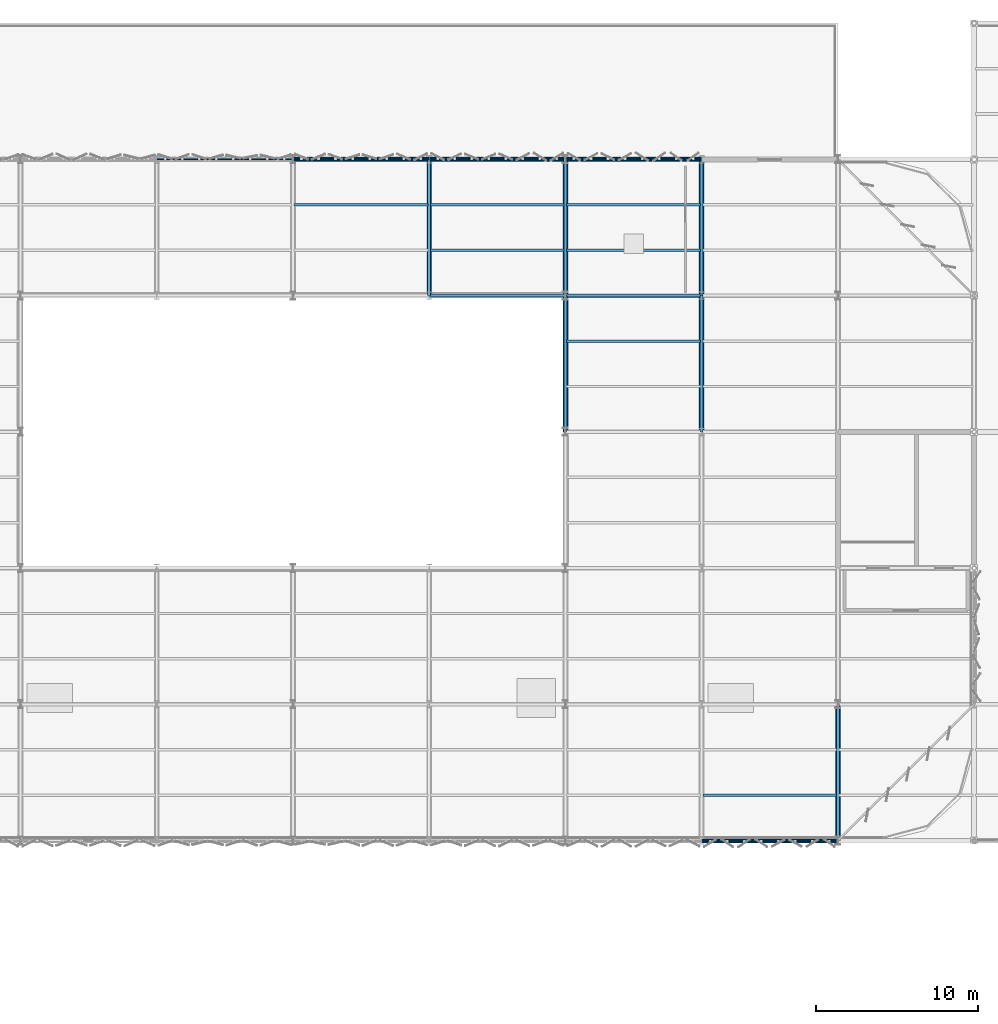
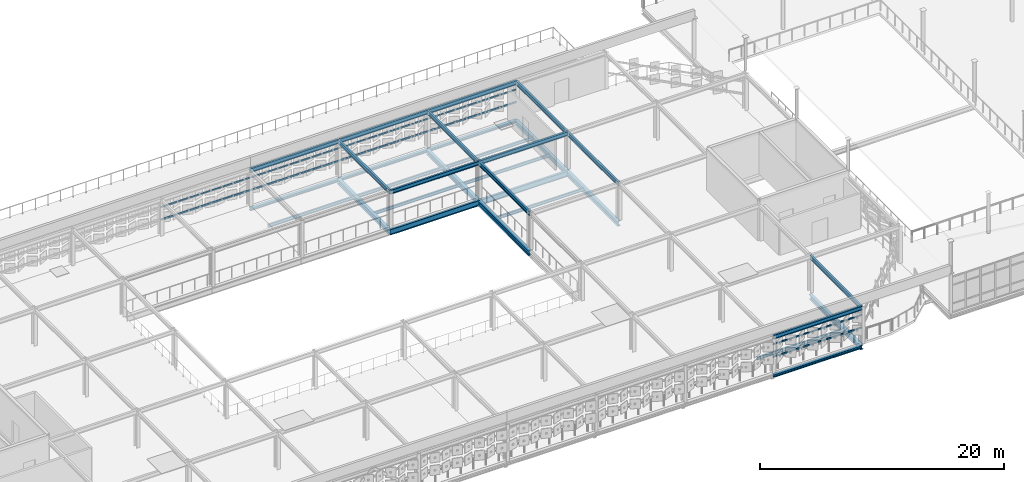
# One storey, part 33 of 65: 41 beams.
"""IFC4 building model written with IfcOpenShell, lengths in metres."""

import ifcopenshell
import ifcopenshell.guid

model = None  # the IFC model being written
_history = None  # IfcOwnerHistory: only IFC2X3 demands one
_inside = {}  # id of a spatial element -> (the spatial element, [elements in it])
_under = {}  # id of a project, library or spatial element -> (it, [spatial elements below it])
_declared = {}  # id of a project -> (the project, [libraries it declares])
_typed = {}  # id of a type object -> (the type object, [elements of that type])
_made_of = {}  # id of a material, layer set ... -> (it, [elements and type objects made of it])


def new_model(schema):
    """Start an empty IFC model of exactly this schema.

    Asked for "IFC4X3", IfcOpenShell would pick the latest addendum, in which some entities
    have other attributes; the version numbers below select the first issue.
    IFC2X3 requires an IfcOwnerHistory on every rooted entity: one is made here for all.
    """
    global model, _history
    if schema == "IFC4X3":
        model = ifcopenshell.file(schema_version=(4, 3, 0, 0))
    else:
        model = ifcopenshell.file(schema=schema)
    _inside.clear()
    _under.clear()
    _declared.clear()
    _typed.clear()
    _made_of.clear()
    _history = None
    if model.schema == "IFC2X3":
        org = make("IfcOrganization", Name="unknown")
        user = make(
            "IfcPersonAndOrganization",
            ThePerson=make("IfcPerson", FamilyName="unknown"),
            TheOrganization=org,
        )
        app = make(
            "IfcApplication",
            ApplicationDeveloper=org,
            Version="unknown",
            ApplicationFullName="unknown",
            ApplicationIdentifier="unknown",
        )
        _history = make(
            "IfcOwnerHistory",
            OwningUser=user,
            OwningApplication=app,
            ChangeAction="ADDED",
            CreationDate=0,
        )
    return model


def make(cls, **values):
    """One entity of the class cls with the attributes given. An attribute that is None is left unset."""
    return model.create_entity(
        cls, **{name: value for name, value in values.items() if value is not None}
    )


def rooted(cls, **values):
    """An entity with a GlobalId (a new one), such as an element, a storey or a relation."""
    return make(cls, GlobalId=ifcopenshell.guid.new(), OwnerHistory=_history, **values)


def si_unit(unit_type, name, prefix=None):
    """IfcSIUnit, for example si_unit("LENGTHUNIT", "METRE", prefix="MILLI")."""
    return make("IfcSIUnit", UnitType=unit_type, Prefix=prefix, Name=name)


def assignment(units):
    """IfcUnitAssignment: the units of a project."""
    return None if units is None else make("IfcUnitAssignment", Units=units)


def point(xyz):
    """IfcCartesianPoint."""
    return None if xyz is None else make("IfcCartesianPoint", Coordinates=xyz)


def direction(xyz):
    """IfcDirection."""
    return None if xyz is None else make("IfcDirection", DirectionRatios=xyz)


def frame(location, z_axis=None, x_axis=None):
    """IfcAxis2Placement3D, a coordinate frame: its origin and axes. An axis left out is left unset."""
    return make(
        "IfcAxis2Placement3D",
        Location=point(location),
        Axis=direction(z_axis),
        RefDirection=direction(x_axis),
    )


def frame_2d(location, x_axis=None):
    """IfcAxis2Placement2D, a coordinate frame in the plane: its origin and x axis."""
    return make(
        "IfcAxis2Placement2D", Location=point(location), RefDirection=direction(x_axis)
    )


def origin():
    """The frame at (0, 0, 0) with its axes left unset."""
    return frame((0.0, 0.0, 0.0))


def origin_2d():
    """The frame at (0, 0) in the plane with its x axis left unset."""
    return frame_2d((0.0, 0.0))


def place(relative_to, where):
    """IfcLocalPlacement: puts the frame where relative to a parent placement (None: the world)."""
    return make(
        "IfcLocalPlacement", PlacementRelTo=relative_to, RelativePlacement=where
    )


def context(
    kind, dimensions, precision=None, world=None, true_north=None, identifier=None
):
    """IfcGeometricRepresentationContext, for example the 3D "Model" context."""
    return make(
        "IfcGeometricRepresentationContext",
        ContextIdentifier=identifier,
        ContextType=kind,
        CoordinateSpaceDimension=dimensions,
        Precision=precision,
        WorldCoordinateSystem=world,
        TrueNorth=true_north,
    )


def subcontext(parent, identifier, kind, view, scale=None):
    """IfcGeometricRepresentationSubContext, for example "Body" below "Model"."""
    return make(
        "IfcGeometricRepresentationSubContext",
        ContextIdentifier=identifier,
        ContextType=kind,
        ParentContext=parent,
        TargetScale=scale,
        TargetView=view,
    )


def project(units=None, contexts=None):
    """IfcProject with its units and contexts."""
    return rooted(
        "IfcProject",
        Name="project",
        RepresentationContexts=contexts,
        UnitsInContext=assignment(units),
    )


def spatial(cls, under=None, at=None, **own):
    """A site, building, storey or space (cls), placed at a placement, below another one or the project."""
    s = rooted(cls, ObjectPlacement=at, **own)
    if under is not None:
        _under.setdefault(under.id(), (under, []))[1].append(s)
    return s


def profile(cls, at=None, kind="AREA", **sizes):
    """A parametric profile (cls). Its sizes go by their IFC names, for example OverallWidth=200.0."""
    return make(cls, ProfileType=kind, Position=at, **sizes)


def hollow_rectangle(**sizes):
    """IfcRectangleHollowProfileDef."""
    return profile("IfcRectangleHollowProfileDef", **sizes)


def i_section(**sizes):
    """IfcIShapeProfileDef."""
    return profile("IfcIShapeProfileDef", **sizes)


def extrude(swept, where, along, depth):
    """IfcExtrudedAreaSolid: the profile swept, set in the frame where, extruded along a direction by depth."""
    return make(
        "IfcExtrudedAreaSolid",
        SweptArea=swept,
        Position=where,
        ExtrudedDirection=direction(along),
        Depth=depth,
    )


def shape(context_of_items, identifier, shape_type, items):
    """IfcShapeRepresentation: the items that make up one representation, for example the "Body"."""
    return make(
        "IfcShapeRepresentation",
        ContextOfItems=context_of_items,
        RepresentationIdentifier=identifier,
        RepresentationType=shape_type,
        Items=items,
    )


def material(Name=None, Category=None):
    """IfcMaterial."""
    return make("IfcMaterial", Name=Name, Category=Category)


def material_profile(
    of_material, cross_section, Name=None, Category=None, Priority=None
):
    """IfcMaterialProfile: a cross section and its material."""
    return make(
        "IfcMaterialProfile",
        Name=Name,
        Material=of_material,
        Profile=cross_section,
        Priority=Priority,
        Category=Category,
    )


def profile_set(profiles, Name=None, composite=None):
    """IfcMaterialProfileSet."""
    return make(
        "IfcMaterialProfileSet",
        Name=Name,
        MaterialProfiles=profiles,
        CompositeProfile=composite,
    )


def made_of(thing, what):
    """Note that an element or type object is made of a material, layer set ...; save() writes the relation."""
    if what is not None:
        _made_of.setdefault(what.id(), (what, []))[1].append(thing)
    return thing


def type_object(cls, material=None, **own):
    """A type object (cls), such as IfcWallType, which elements share."""
    return made_of(rooted(cls, **own), material)


def element(
    cls,
    number,
    at=None,
    inside=None,
    cuts=None,
    type_object=None,
    material=None,
    context=None,
    identifier="Body",
    shape_type=None,
    held_by="IfcProductDefinitionShape",
    body=None,
    shapes=None,
    **own,
):
    """One element of the class cls, such as IfcWall. Its Tag is "e" and its number.

    at: its placement. inside: the storey or other place that contains it. cuts: it is an
    opening in that element (IfcRelVoidsElement). A single representation is given by context,
    identifier, shape_type and body (its items); several are given by shapes. held_by: the class
    of the entity that holds the representations. save() writes the other relations.
    """
    e = rooted(cls, Tag="e%d" % number, ObjectPlacement=at, **own)
    if body is not None:
        shapes = [shape(context, identifier, shape_type, body)]
    if shapes is not None:
        e.Representation = make(held_by, Representations=shapes)
    if inside is not None:
        _inside.setdefault(inside.id(), (inside, []))[1].append(e)
    if cuts is not None:
        rooted(
            "IfcRelVoidsElement", RelatingBuildingElement=cuts, RelatedOpeningElement=e
        )
    if type_object is not None:
        _typed.setdefault(type_object.id(), (type_object, []))[1].append(e)
    return made_of(e, material)


def aggregate(whole, parts):
    """IfcRelAggregates: a whole, such as a stair, and the parts it consists of."""
    return rooted("IfcRelAggregates", RelatingObject=whole, RelatedObjects=parts)


def save(model, path):
    """Write the relations noted so far, then the file.

    IfcRelAggregates (storeys below a building ...), IfcRelContainedInSpatialStructure (elements
    in a storey), IfcRelDefinesByType, IfcRelAssociatesMaterial and IfcRelDeclares: one each for
    every whole, place, type object, material and project.
    """
    for whole, parts in _under.values():
        aggregate(whole, parts)
    for where, things in _inside.values():
        rooted(
            "IfcRelContainedInSpatialStructure",
            RelatedElements=things,
            RelatingStructure=where,
        )
    for kind, things in _typed.values():
        rooted("IfcRelDefinesByType", RelatedObjects=things, RelatingType=kind)
    for what, things in _made_of.values():
        rooted("IfcRelAssociatesMaterial", RelatedObjects=things, RelatingMaterial=what)
    for by, libraries in _declared.values():
        rooted("IfcRelDeclares", RelatingContext=by, RelatedDefinitions=libraries)
    model.write(path)


model = new_model("IFC4")

# Units and contexts
model_context = context("Model", 3, precision=1e-05, world=origin(), true_north=direction((0.0, 1.0)))
body_context = subcontext(model_context, "Body", "Model", "MODEL_VIEW")
ifc_project = project(units=[si_unit("LENGTHUNIT", "METRE"), si_unit("AREAUNIT", "SQUARE_METRE"), si_unit("VOLUMEUNIT", "CUBIC_METRE"), si_unit("PLANEANGLEUNIT", "RADIAN"), si_unit("MASSUNIT", "GRAM", prefix="KILO")], contexts=[model_context])

# Site, building, storey
site_placement = place(None, origin())
site = spatial("IfcSite", under=ifc_project, at=site_placement, CompositionType="ELEMENT")
building_placement = place(site_placement, origin())
building = spatial("IfcBuilding", under=site, at=building_placement, Name="Qalvenar Corner Mobility Hub", CompositionType="ELEMENT")
storey_placement = place(building_placement, frame((0.0, 0.0, 17.39990234375)))
storey = spatial("IfcBuildingStorey", under=building, at=storey_placement, Name="L04", CompositionType="ELEMENT", Elevation=17.39990234375)

# Beams
ifc_material = material(Name="Steel S355", Category="steel")
ifc_material_profile_1 = material_profile(ifc_material, i_section(OverallWidth=0.300048828125, OverallDepth=0.489990234375, WebThickness=0.011962890625, FlangeThickness=0.02294921875, FilletRadius=0.027099609375, at=origin_2d()), Name="HEA500")
ifc_profile_set_1 = profile_set([ifc_material_profile_1], Name="Steel S355")
beam_type_1 = type_object("IfcBeamType", Name="BM-HEA500", PredefinedType="BEAM", material=ifc_profile_set_1)
beam_1_placement = place(storey_placement, frame((109.199951171875, 100.800048828125, -0.48486328125), z_axis=(0.0, 1.0, 0.0), x_axis=(-1.0, 0.0, 0.0)))
element("IfcBeam", 1, at=beam_1_placement, inside=storey, type_object=beam_type_1, Name="Primary Steel Girder GY-2797", PredefinedType="BEAM", context=body_context, shape_type="SweptSolid", body=[
    extrude(i_section(OverallWidth=0.300048828125, OverallDepth=0.489990234375, WebThickness=0.011962890625, FlangeThickness=0.02294921875, FilletRadius=0.027099609375, at=origin_2d()), origin(), (0.0, 0.0, 1.0), 8.39990234375),
])
beam_2_placement = place(storey_placement, frame((117.60009765625, 92.39990234375, -0.48486328125), z_axis=(0.0, 1.0, 0.0), x_axis=(-1.0, 0.0, 0.0)))
element("IfcBeam", 2, at=beam_2_placement, inside=storey, type_object=beam_type_1, Name="Primary Steel Girder GY-2801", PredefinedType="BEAM", context=body_context, shape_type="SweptSolid", body=[
    extrude(i_section(OverallWidth=0.300048828125, OverallDepth=0.489990234375, WebThickness=0.011962890625, FlangeThickness=0.02294921875, FilletRadius=0.027099609375, at=origin_2d()), origin(), (0.0, 0.0, 1.0), 8.400146484375),
])
beam_3_placement = place(storey_placement, frame((117.60009765625, 100.800048828125, -0.48486328125), z_axis=(0.0, 1.0, 0.0), x_axis=(-1.0, 0.0, 0.0)))
element("IfcBeam", 3, at=beam_3_placement, inside=storey, type_object=beam_type_1, Name="Primary Steel Girder GY-2802", PredefinedType="BEAM", context=body_context, shape_type="SweptSolid", body=[
    extrude(i_section(OverallWidth=0.300048828125, OverallDepth=0.489990234375, WebThickness=0.011962890625, FlangeThickness=0.02294921875, FilletRadius=0.027099609375, at=origin_2d()), origin(), (0.0, 0.0, 1.0), 8.39990234375),
])
beam_4_placement = place(storey_placement, frame((126.0, 92.39990234375, -0.48486328125), z_axis=(0.0, 1.0, 0.0), x_axis=(-1.0, 0.0, 0.0)))
element("IfcBeam", 4, at=beam_4_placement, inside=storey, type_object=beam_type_1, Name="Primary Steel Girder GY-2806", PredefinedType="BEAM", context=body_context, shape_type="SweptSolid", body=[
    extrude(i_section(OverallWidth=0.300048828125, OverallDepth=0.489990234375, WebThickness=0.011962890625, FlangeThickness=0.02294921875, FilletRadius=0.027099609375, at=origin_2d()), origin(), (0.0, 0.0, 1.0), 8.400146484375),
])
beam_5_placement = place(storey_placement, frame((126.0, 100.800048828125, -0.48486328125), z_axis=(0.0, 1.0, 0.0), x_axis=(-1.0, 0.0, 0.0)))
element("IfcBeam", 5, at=beam_5_placement, inside=storey, type_object=beam_type_1, Name="Primary Steel Girder GY-2807", PredefinedType="BEAM", context=body_context, shape_type="SweptSolid", body=[
    extrude(i_section(OverallWidth=0.300048828125, OverallDepth=0.489990234375, WebThickness=0.011962890625, FlangeThickness=0.02294921875, FilletRadius=0.027099609375, at=origin_2d()), origin(), (0.0, 0.0, 1.0), 8.39990234375),
])
beam_6_placement = place(storey_placement, frame((134.39990234375, 67.199951171875, -0.48486328125), z_axis=(0.0, 1.0, 0.0), x_axis=(-1.0, 0.0, 0.0)))
element("IfcBeam", 6, at=beam_6_placement, inside=storey, type_object=beam_type_1, Name="Primary Steel Girder GY-2808", PredefinedType="BEAM", context=body_context, shape_type="SweptSolid", body=[
    extrude(i_section(OverallWidth=0.300048828125, OverallDepth=0.489990234375, WebThickness=0.011962890625, FlangeThickness=0.02294921875, FilletRadius=0.027099609375, at=origin_2d()), origin(), (0.0, 0.0, 1.0), 8.400146484375),
])
ifc_material_profile_2 = material_profile(ifc_material, i_section(OverallWidth=0.179931640625, OverallDepth=0.39990234375, WebThickness=0.008544921875, FlangeThickness=0.013427734375, FilletRadius=0.02099609375, at=origin_2d()), Name="IPE400")
ifc_profile_set_2 = profile_set([ifc_material_profile_2], Name="Steel S355")
beam_type_2 = type_object("IfcBeamType", Name="BM-IPE400", PredefinedType="BEAM", material=ifc_profile_set_2)
beam_7_placement = place(storey_placement, frame((109.199951171875, 100.800048828125, 3.47021484375), z_axis=(0.0, 1.0, 0.0), x_axis=(-1.0, 0.0, 0.0)))
element("IfcBeam", 7, at=beam_7_placement, inside=storey, type_object=beam_type_2, Name="EV Roof Girder V4RF-Y-109-100", PredefinedType="BEAM", context=body_context, shape_type="SweptSolid", body=[
    extrude(i_section(OverallWidth=0.179931640625, OverallDepth=0.39990234375, WebThickness=0.008544921875, FlangeThickness=0.013427734375, FilletRadius=0.02099609375, at=origin_2d()), origin(), (0.0, 0.0, 1.0), 8.39990234375),
])
beam_8_placement = place(storey_placement, frame((117.60009765625, 92.39990234375, 3.47021484375), z_axis=(0.0, 1.0, 0.0), x_axis=(-1.0, 0.0, 0.0)))
element("IfcBeam", 8, at=beam_8_placement, inside=storey, type_object=beam_type_2, Name="EV Roof Girder V4RF-Y-117-92", PredefinedType="BEAM", context=body_context, shape_type="SweptSolid", body=[
    extrude(i_section(OverallWidth=0.179931640625, OverallDepth=0.39990234375, WebThickness=0.008544921875, FlangeThickness=0.013427734375, FilletRadius=0.02099609375, at=origin_2d()), origin(), (0.0, 0.0, 1.0), 8.400146484375),
])
beam_9_placement = place(storey_placement, frame((117.60009765625, 100.800048828125, 3.47021484375), z_axis=(0.0, 1.0, 0.0), x_axis=(-1.0, 0.0, 0.0)))
element("IfcBeam", 9, at=beam_9_placement, inside=storey, type_object=beam_type_2, Name="EV Roof Girder V4RF-Y-117-100", PredefinedType="BEAM", context=body_context, shape_type="SweptSolid", body=[
    extrude(i_section(OverallWidth=0.179931640625, OverallDepth=0.39990234375, WebThickness=0.008544921875, FlangeThickness=0.013427734375, FilletRadius=0.02099609375, at=origin_2d()), origin(), (0.0, 0.0, 1.0), 8.39990234375),
])
beam_10_placement = place(storey_placement, frame((126.0, 92.39990234375, 3.47021484375), z_axis=(0.0, 1.0, 0.0), x_axis=(-1.0, 0.0, 0.0)))
element("IfcBeam", 10, at=beam_10_placement, inside=storey, type_object=beam_type_2, Name="EV Roof Girder V4RF-Y-126-92", PredefinedType="BEAM", context=body_context, shape_type="SweptSolid", body=[
    extrude(i_section(OverallWidth=0.179931640625, OverallDepth=0.39990234375, WebThickness=0.008544921875, FlangeThickness=0.013427734375, FilletRadius=0.02099609375, at=origin_2d()), origin(), (0.0, 0.0, 1.0), 8.400146484375),
])
beam_11_placement = place(storey_placement, frame((126.0, 100.800048828125, 3.47021484375), z_axis=(0.0, 1.0, 0.0), x_axis=(-1.0, 0.0, 0.0)))
element("IfcBeam", 11, at=beam_11_placement, inside=storey, type_object=beam_type_2, Name="EV Roof Girder V4RF-Y-126-100", PredefinedType="BEAM", context=body_context, shape_type="SweptSolid", body=[
    extrude(i_section(OverallWidth=0.179931640625, OverallDepth=0.39990234375, WebThickness=0.008544921875, FlangeThickness=0.013427734375, FilletRadius=0.02099609375, at=origin_2d()), origin(), (0.0, 0.0, 1.0), 8.39990234375),
])
beam_12_placement = place(storey_placement, frame((134.39990234375, 67.199951171875, 3.47021484375), z_axis=(0.0, 1.0, 0.0), x_axis=(-1.0, 0.0, 0.0)))
element("IfcBeam", 12, at=beam_12_placement, inside=storey, type_object=beam_type_2, Name="EV Roof Girder V4RF-Y-134-67", PredefinedType="BEAM", context=body_context, shape_type="SweptSolid", body=[
    extrude(i_section(OverallWidth=0.179931640625, OverallDepth=0.39990234375, WebThickness=0.008544921875, FlangeThickness=0.013427734375, FilletRadius=0.02099609375, at=origin_2d()), origin(), (0.0, 0.0, 1.0), 8.400146484375),
])
beam_13_placement = place(storey_placement, frame((126.0, 67.199951171875, 3.47021484375), z_axis=(1.0, 0.0, 0.0), x_axis=(0.0, 1.0, 0.0)))
element("IfcBeam", 13, at=beam_13_placement, inside=storey, type_object=beam_type_2, Name="EV Roof Girder V4RF-X-126-67", PredefinedType="BEAM", context=body_context, shape_type="SweptSolid", body=[
    extrude(i_section(OverallWidth=0.179931640625, OverallDepth=0.39990234375, WebThickness=0.008544921875, FlangeThickness=0.013427734375, FilletRadius=0.02099609375, at=origin_2d()), origin(), (0.0, 0.0, 1.0), 8.39990234375),
])
beam_14_placement = place(storey_placement, frame((109.199951171875, 100.800048828125, 3.47021484375), z_axis=(1.0, 0.0, 0.0), x_axis=(0.0, 1.0, 0.0)))
element("IfcBeam", 14, at=beam_14_placement, inside=storey, type_object=beam_type_2, Name="EV Roof Girder V4RF-X-109-100", PredefinedType="BEAM", context=body_context, shape_type="SweptSolid", body=[
    extrude(i_section(OverallWidth=0.179931640625, OverallDepth=0.39990234375, WebThickness=0.008544921875, FlangeThickness=0.013427734375, FilletRadius=0.02099609375, at=origin_2d()), origin(), (0.0, 0.0, 1.0), 8.400146484375),
])
for number, where, z_axis, x_axis, name in (
    (15, (117.60009765625, 100.800048828125, 3.47021484375), (1.0, 0.0, 0.0), (0.0, 1.0, 0.0), "EV Roof Girder V4RF-X-117-100"),
    (16, (100.800048828125, 109.199951171875, 3.47021484375), (1.0, 0.0, 0.0), (0.0, 1.0, 0.0), "EV Roof Girder V4RF-X-100-109"),
):
    element("IfcBeam", number, at=place(storey_placement, frame(where, z_axis=z_axis, x_axis=x_axis)), inside=storey, type_object=beam_type_2, Name=name, PredefinedType="BEAM", context=body_context, shape_type="SweptSolid", body=[
        extrude(i_section(OverallWidth=0.179931640625, OverallDepth=0.39990234375, WebThickness=0.008544921875, FlangeThickness=0.013427734375, FilletRadius=0.02099609375, at=origin_2d()), origin(), (0.0, 0.0, 1.0), 8.39990234375),
    ])
beam_15_placement = place(storey_placement, frame((109.199951171875, 109.199951171875, 3.47021484375), z_axis=(1.0, 0.0, 0.0), x_axis=(0.0, 1.0, 0.0)))
element("IfcBeam", 17, at=beam_15_placement, inside=storey, type_object=beam_type_2, Name="EV Roof Girder V4RF-X-109-109", PredefinedType="BEAM", context=body_context, shape_type="SweptSolid", body=[
    extrude(i_section(OverallWidth=0.179931640625, OverallDepth=0.39990234375, WebThickness=0.008544921875, FlangeThickness=0.013427734375, FilletRadius=0.02099609375, at=origin_2d()), origin(), (0.0, 0.0, 1.0), 8.400146484375),
])
beam_16_placement = place(storey_placement, frame((117.60009765625, 109.199951171875, 3.47021484375), z_axis=(1.0, 0.0, 0.0), x_axis=(0.0, 1.0, 0.0)))
element("IfcBeam", 18, at=beam_16_placement, inside=storey, type_object=beam_type_2, Name="EV Roof Girder V4RF-X-117-109", PredefinedType="BEAM", context=body_context, shape_type="SweptSolid", body=[
    extrude(i_section(OverallWidth=0.179931640625, OverallDepth=0.39990234375, WebThickness=0.008544921875, FlangeThickness=0.013427734375, FilletRadius=0.02099609375, at=origin_2d()), origin(), (0.0, 0.0, 1.0), 8.39990234375),
])
ifc_material_profile_3 = material_profile(ifc_material, i_section(OverallWidth=0.2099609375, OverallDepth=0.550048828125, WebThickness=0.010986328125, FlangeThickness=0.01708984375, FilletRadius=0.02392578125, at=origin_2d()), Name="IPE550")
ifc_profile_set_3 = profile_set([ifc_material_profile_3], Name="Steel S355")
beam_type_3 = type_object("IfcBeamType", Name="BM-IPE550", PredefinedType="BEAM", material=ifc_profile_set_3)
beam_17_placement = place(storey_placement, frame((109.199951171875, 100.800048828125, -0.514892578125), z_axis=(1.0, 0.0, 0.0), x_axis=(0.0, 1.0, 0.0)))
element("IfcBeam", 19, at=beam_17_placement, inside=storey, type_object=beam_type_3, Name="Primary Steel Girder GX-2759", PredefinedType="BEAM", context=body_context, shape_type="SweptSolid", body=[
    extrude(i_section(OverallWidth=0.2099609375, OverallDepth=0.550048828125, WebThickness=0.010986328125, FlangeThickness=0.01708984375, FilletRadius=0.02392578125, at=origin_2d()), origin(), (0.0, 0.0, 1.0), 8.400146484375),
])
beam_18_placement = place(storey_placement, frame((117.60009765625, 100.800048828125, -0.514892578125), z_axis=(1.0, 0.0, 0.0), x_axis=(0.0, 1.0, 0.0)))
element("IfcBeam", 20, at=beam_18_placement, inside=storey, type_object=beam_type_3, Name="Primary Steel Girder GX-2760", PredefinedType="BEAM", context=body_context, shape_type="SweptSolid", body=[
    extrude(i_section(OverallWidth=0.2099609375, OverallDepth=0.550048828125, WebThickness=0.010986328125, FlangeThickness=0.01708984375, FilletRadius=0.02392578125, at=origin_2d()), origin(), (0.0, 0.0, 1.0), 8.39990234375),
])
ifc_material_profile_4 = material_profile(ifc_material, i_section(OverallWidth=0.14990234375, OverallDepth=0.300048828125, WebThickness=0.007080078125, FlangeThickness=0.0107421875, FilletRadius=0.014892578125, at=origin_2d()), Name="IPE300")
ifc_profile_set_4 = profile_set([ifc_material_profile_4], Name="Steel S355")
beam_type_4 = type_object("IfcBeamType", Name="BM-JST300", PredefinedType="JOIST", material=ifc_profile_set_4)
beam_19_placement = place(storey_placement, frame((100.8779296875, 106.39990234375, -0.389892578125), z_axis=(1.0, 0.0, 0.0), x_axis=(0.0, 1.0, 0.0)))
element("IfcBeam", 21, at=beam_19_placement, inside=storey, type_object=beam_type_4, Name="Composite Floor Joist J-2857", PredefinedType="JOIST", context=body_context, shape_type="SweptSolid", body=[
    extrude(i_section(OverallWidth=0.14990234375, OverallDepth=0.300048828125, WebThickness=0.007080078125, FlangeThickness=0.0107421875, FilletRadius=0.014892578125, at=origin_2d()), origin(), (0.0, 0.0, 1.0), 8.244140625),
])
for number, where, z_axis, x_axis, name in (
    (22, (109.278076171875, 103.60009765625, -0.389892578125), (1.0, 0.0, 0.0), (0.0, 1.0, 0.0), "Composite Floor Joist J-2862"),
    (23, (109.278076171875, 106.39990234375, -0.389892578125), (1.0, 0.0, 0.0), (0.0, 1.0, 0.0), "Composite Floor Joist J-2863"),
):
    element("IfcBeam", number, at=place(storey_placement, frame(where, z_axis=z_axis, x_axis=x_axis)), inside=storey, type_object=beam_type_4, Name=name, PredefinedType="JOIST", context=body_context, shape_type="SweptSolid", body=[
        extrude(i_section(OverallWidth=0.14990234375, OverallDepth=0.300048828125, WebThickness=0.007080078125, FlangeThickness=0.0107421875, FilletRadius=0.014892578125, at=origin_2d()), origin(), (0.0, 0.0, 1.0), 8.243896484375),
    ])
for number, where, z_axis, x_axis, name in (
    (24, (117.677978515625, 98.0, -0.389892578125), (1.0, 0.0, 0.0), (0.0, 1.0, 0.0), "Composite Floor Joist J-2871"),
    (25, (117.677978515625, 103.60009765625, -0.389892578125), (1.0, 0.0, 0.0), (0.0, 1.0, 0.0), "Composite Floor Joist J-2872"),
    (26, (117.677978515625, 106.39990234375, -0.389892578125), (1.0, 0.0, 0.0), (0.0, 1.0, 0.0), "Composite Floor Joist J-2873"),
    (27, (126.077880859375, 70.0, -0.389892578125), (1.0, 0.0, 0.0), (0.0, 1.0, 0.0), "Composite Floor Joist J-2874"),
):
    element("IfcBeam", number, at=place(storey_placement, frame(where, z_axis=z_axis, x_axis=x_axis)), inside=storey, type_object=beam_type_4, Name=name, PredefinedType="JOIST", context=body_context, shape_type="SweptSolid", body=[
        extrude(i_section(OverallWidth=0.14990234375, OverallDepth=0.300048828125, WebThickness=0.007080078125, FlangeThickness=0.0107421875, FilletRadius=0.014892578125, at=origin_2d()), origin(), (0.0, 0.0, 1.0), 8.244140625),
    ])
ifc_material_profile_5 = material_profile(ifc_material, i_section(OverallWidth=0.280029296875, OverallDepth=0.27001953125, WebThickness=0.008056640625, FlangeThickness=0.012939453125, FilletRadius=0.02392578125, at=origin_2d()), Name="HEA280")
ifc_profile_set_5 = profile_set([ifc_material_profile_5], Name="Steel S355")
beam_type_5 = type_object("IfcBeamType", Name="BM-SPN280", PredefinedType="SPANDREL", material=ifc_profile_set_5)
for number, where, z_axis, x_axis, name in (
    (28, (126.0, 67.199951171875, -0.375), (1.0, 0.0, 0.0), (0.0, 1.0, 0.0), "Primary Steel Girder GX-2726"),
    (29, (100.800048828125, 109.199951171875, -0.376953125), (1.0, 0.0, 0.0), (0.0, 1.0, 0.0), "Primary Steel Girder GX-2767"),
):
    element("IfcBeam", number, at=place(storey_placement, frame(where, z_axis=z_axis, x_axis=x_axis)), inside=storey, type_object=beam_type_5, Name=name, PredefinedType="SPANDREL", context=body_context, shape_type="SweptSolid", body=[
        extrude(i_section(OverallWidth=0.280029296875, OverallDepth=0.27001953125, WebThickness=0.008056640625, FlangeThickness=0.012939453125, FilletRadius=0.02392578125, at=origin_2d()), origin(), (0.0, 0.0, 1.0), 8.39990234375),
    ])
beam_20_placement = place(storey_placement, frame((109.199951171875, 109.199951171875, -0.376953125), z_axis=(1.0, 0.0, 0.0), x_axis=(0.0, 1.0, 0.0)))
element("IfcBeam", 30, at=beam_20_placement, inside=storey, type_object=beam_type_5, Name="Primary Steel Girder GX-2768", PredefinedType="SPANDREL", context=body_context, shape_type="SweptSolid", body=[
    extrude(i_section(OverallWidth=0.280029296875, OverallDepth=0.27001953125, WebThickness=0.008056640625, FlangeThickness=0.012939453125, FilletRadius=0.02392578125, at=origin_2d()), origin(), (0.0, 0.0, 1.0), 8.400146484375),
])
beam_21_placement = place(storey_placement, frame((117.60009765625, 109.199951171875, -0.376953125), z_axis=(1.0, 0.0, 0.0), x_axis=(0.0, 1.0, 0.0)))
element("IfcBeam", 31, at=beam_21_placement, inside=storey, type_object=beam_type_5, Name="Primary Steel Girder GX-2769", PredefinedType="SPANDREL", context=body_context, shape_type="SweptSolid", body=[
    extrude(i_section(OverallWidth=0.280029296875, OverallDepth=0.27001953125, WebThickness=0.008056640625, FlangeThickness=0.012939453125, FilletRadius=0.02392578125, at=origin_2d()), origin(), (0.0, 0.0, 1.0), 8.39990234375),
])
ifc_material_profile_6 = material_profile(ifc_material, hollow_rectangle(XDim=0.080078125, YDim=0.139892578125, WallThickness=0.0048828125, InnerFilletRadius=0.0048828125, OuterFilletRadius=0.010009765625, at=origin_2d()), Name="RHS140x80x5")
ifc_profile_set_6 = profile_set([ifc_material_profile_6], Name="Steel S355")
beam_type_6 = type_object("IfcBeamType", Name="FR-RAIL140", PredefinedType="SPANDREL", material=ifc_profile_set_6)
for number, where, z_axis, x_axis, name in (
    (32, (126.0, 67.199951171875, 2.75), (1.0, 0.0, 0.0), (0.0, 1.0, 0.0), "Facade Hinge Support Rail FR-L04-0160"),
    (33, (126.0, 109.199951171875, 2.75), (-1.0, 0.0, 0.0), (0.0, -1.0, 0.0), "Facade Hinge Support Rail FR-L04-0162"),
):
    element("IfcBeam", number, at=place(storey_placement, frame(where, z_axis=z_axis, x_axis=x_axis)), inside=storey, type_object=beam_type_6, Name=name, PredefinedType="SPANDREL", context=body_context, shape_type="SweptSolid", body=[
        extrude(hollow_rectangle(XDim=0.080078125, YDim=0.139892578125, WallThickness=0.0048828125, InnerFilletRadius=0.0048828125, OuterFilletRadius=0.010009765625, at=origin_2d()), origin(), (0.0, 0.0, 1.0), 8.39990234375),
    ])
beam_22_placement = place(storey_placement, frame((117.60009765625, 109.199951171875, 2.75), z_axis=(-1.0, 0.0, 0.0), x_axis=(0.0, -1.0, 0.0)))
element("IfcBeam", 34, at=beam_22_placement, inside=storey, type_object=beam_type_6, Name="Facade Hinge Support Rail FR-L04-0164", PredefinedType="SPANDREL", context=body_context, shape_type="SweptSolid", body=[
    extrude(hollow_rectangle(XDim=0.080078125, YDim=0.139892578125, WallThickness=0.0048828125, InnerFilletRadius=0.0048828125, OuterFilletRadius=0.010009765625, at=origin_2d()), origin(), (0.0, 0.0, 1.0), 8.400146484375),
])
beam_23_placement = place(storey_placement, frame((109.199951171875, 109.199951171875, 2.75), z_axis=(-1.0, 0.0, 0.0), x_axis=(0.0, -1.0, 0.0)))
element("IfcBeam", 35, at=beam_23_placement, inside=storey, type_object=beam_type_6, Name="Facade Hinge Support Rail FR-L04-0166", PredefinedType="SPANDREL", context=body_context, shape_type="SweptSolid", body=[
    extrude(hollow_rectangle(XDim=0.080078125, YDim=0.139892578125, WallThickness=0.0048828125, InnerFilletRadius=0.0048828125, OuterFilletRadius=0.010009765625, at=origin_2d()), origin(), (0.0, 0.0, 1.0), 8.39990234375),
])
beam_24_placement = place(storey_placement, frame((100.800048828125, 109.199951171875, 2.75), z_axis=(-1.0, 0.0, 0.0), x_axis=(0.0, -1.0, 0.0)))
element("IfcBeam", 36, at=beam_24_placement, inside=storey, type_object=beam_type_6, Name="Facade Hinge Support Rail FR-L04-0168", PredefinedType="SPANDREL", context=body_context, shape_type="SweptSolid", body=[
    extrude(hollow_rectangle(XDim=0.080078125, YDim=0.139892578125, WallThickness=0.0048828125, InnerFilletRadius=0.0048828125, OuterFilletRadius=0.010009765625, at=origin_2d()), origin(), (0.0, 0.0, 1.0), 8.400146484375),
])
ifc_material_profile_7 = material_profile(ifc_material, hollow_rectangle(XDim=0.090087890625, YDim=0.159912109375, WallThickness=0.00634765625, InnerFilletRadius=0.00634765625, OuterFilletRadius=0.0126953125, at=origin_2d()), Name="RHS160x90x6.3")
ifc_profile_set_7 = profile_set([ifc_material_profile_7], Name="Steel S355")
beam_type_7 = type_object("IfcBeamType", Name="FR-RAIL160", PredefinedType="SPANDREL", material=ifc_profile_set_7)
for number, where, z_axis, x_axis, name in (
    (37, (126.0, 67.199951171875, 1.5), (1.0, 0.0, 0.0), (0.0, 1.0, 0.0), "Facade Hinge Support Rail FR-L04-0159"),
    (38, (126.0, 109.199951171875, 1.5), (-1.0, 0.0, 0.0), (0.0, -1.0, 0.0), "Facade Hinge Support Rail FR-L04-0161"),
):
    element("IfcBeam", number, at=place(storey_placement, frame(where, z_axis=z_axis, x_axis=x_axis)), inside=storey, type_object=beam_type_7, Name=name, PredefinedType="SPANDREL", context=body_context, shape_type="SweptSolid", body=[
        extrude(hollow_rectangle(XDim=0.090087890625, YDim=0.159912109375, WallThickness=0.00634765625, InnerFilletRadius=0.00634765625, OuterFilletRadius=0.0126953125, at=origin_2d()), origin(), (0.0, 0.0, 1.0), 8.39990234375),
    ])
beam_25_placement = place(storey_placement, frame((117.60009765625, 109.199951171875, 1.5), z_axis=(-1.0, 0.0, 0.0), x_axis=(0.0, -1.0, 0.0)))
element("IfcBeam", 39, at=beam_25_placement, inside=storey, type_object=beam_type_7, Name="Facade Hinge Support Rail FR-L04-0163", PredefinedType="SPANDREL", context=body_context, shape_type="SweptSolid", body=[
    extrude(hollow_rectangle(XDim=0.090087890625, YDim=0.159912109375, WallThickness=0.00634765625, InnerFilletRadius=0.00634765625, OuterFilletRadius=0.0126953125, at=origin_2d()), origin(), (0.0, 0.0, 1.0), 8.400146484375),
])
beam_26_placement = place(storey_placement, frame((109.199951171875, 109.199951171875, 1.5), z_axis=(-1.0, 0.0, 0.0), x_axis=(0.0, -1.0, 0.0)))
element("IfcBeam", 40, at=beam_26_placement, inside=storey, type_object=beam_type_7, Name="Facade Hinge Support Rail FR-L04-0165", PredefinedType="SPANDREL", context=body_context, shape_type="SweptSolid", body=[
    extrude(hollow_rectangle(XDim=0.090087890625, YDim=0.159912109375, WallThickness=0.00634765625, InnerFilletRadius=0.00634765625, OuterFilletRadius=0.0126953125, at=origin_2d()), origin(), (0.0, 0.0, 1.0), 8.39990234375),
])
beam_27_placement = place(storey_placement, frame((100.800048828125, 109.199951171875, 1.5), z_axis=(-1.0, 0.0, 0.0), x_axis=(0.0, -1.0, 0.0)))
element("IfcBeam", 41, at=beam_27_placement, inside=storey, type_object=beam_type_7, Name="Facade Hinge Support Rail FR-L04-0167", PredefinedType="SPANDREL", context=body_context, shape_type="SweptSolid", body=[
    extrude(hollow_rectangle(XDim=0.090087890625, YDim=0.159912109375, WallThickness=0.00634765625, InnerFilletRadius=0.00634765625, OuterFilletRadius=0.0126953125, at=origin_2d()), origin(), (0.0, 0.0, 1.0), 8.400146484375),
])

save(model, "model.ifc")
